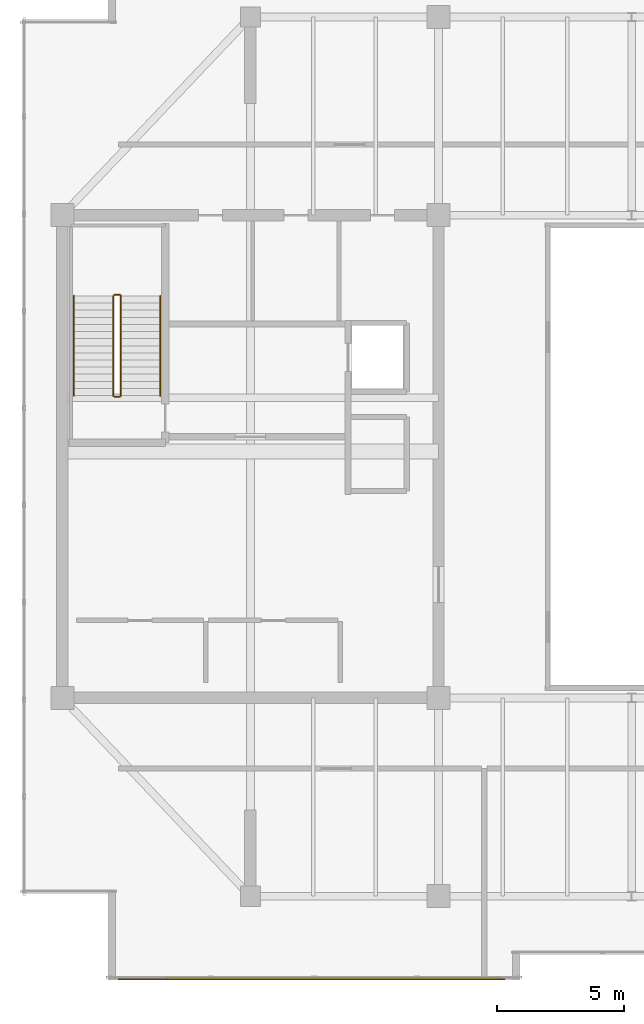
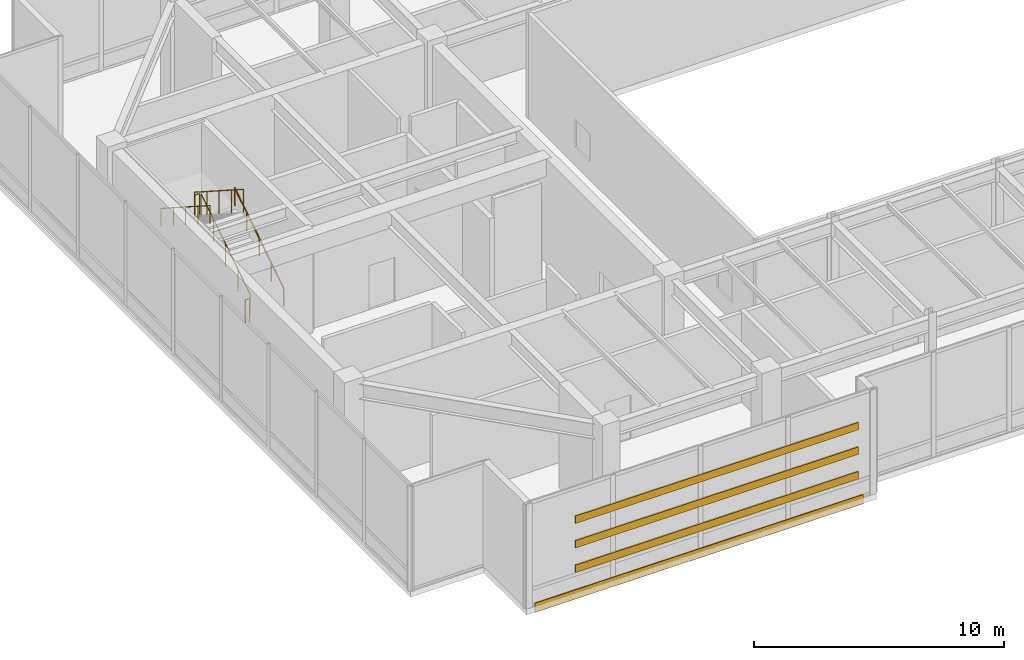
# One storey, part 28 of 30: 6 railings, 3 shading devices, 1 covering.
"""IFC4 building model written with IfcOpenShell, lengths in metres."""

from ifc_helpers import new_model, si_unit, direction, frame, frame_2d, origin, origin_2d, place, context, subcontext, project, spatial, rectangle, circle, extrude, source, transform, mapped, material, layer, layer_set, material_profile, profile_set, type_object, type_shapes, element, save


model = new_model("IFC4")

# Units and contexts
model_context = context("Model", 3, precision=1e-05, world=origin(), true_north=direction((0.0, 1.0)))
body_context = subcontext(model_context, "Body", "Model", "MODEL_VIEW")
ifc_project = project(units=[si_unit("LENGTHUNIT", "METRE"), si_unit("AREAUNIT", "SQUARE_METRE"), si_unit("VOLUMEUNIT", "CUBIC_METRE"), si_unit("PLANEANGLEUNIT", "RADIAN"), si_unit("MASSUNIT", "GRAM", prefix="KILO")], contexts=[model_context])

# Site, building, storey
site_placement = place(None, origin())
site = spatial("IfcSite", under=ifc_project, at=site_placement, CompositionType="ELEMENT")
building_placement = place(site_placement, origin())
building = spatial("IfcBuilding", under=site, at=building_placement, Name="Haelvirn Gate Laboratories", CompositionType="ELEMENT")
storey_placement = place(building_placement, frame((0.0, 0.0, 332.39990234375)))
storey = spatial("IfcBuildingStorey", under=building, at=storey_placement, Name="L79", CompositionType="ELEMENT", Elevation=332.39990234375)

# Covering
ifc_material_1 = material(Name="Anodised bronze honeycomb aluminium spandrel cladding", Category="aluminium")
ifc_layer = layer(ifc_material_1, 0.044921875, Name="COV-CLAD-BRZ")
ifc_layer_set = layer_set([ifc_layer], Name="Anodised bronze honeycomb aluminium spandrel cladding")
covering_type = type_object("IfcCoveringType", Name="COV-CLAD-BRZ", PredefinedType="CLADDING", material=ifc_layer_set)
covering_placement = place(storey_placement, frame((9.60009765625, 3.72998046875, -0.2998046875), z_axis=(0.0, 0.0, 1.0), x_axis=(1.0, 0.0, 0.0)))
element("IfcCovering", 1, at=covering_placement, inside=storey, type_object=covering_type, Name="L79 Bronze Slab-Edge Spandrel Cladding SW", PredefinedType="CLADDING", context=body_context, shape_type="SweptSolid", body=[
    extrude(rectangle(XDim=15.199951171875, YDim=0.044921875, at=frame_2d((7.60009765625, 0.0))), origin(), (0.0, 0.0, 1.0), 0.449951171875),
])

# Shading devices
ifc_material_2 = material(Name="Extruded aluminium 6063-T6 (anodised bronze)", Category="aluminium")
ifc_material_profile = material_profile(ifc_material_2, rectangle(XDim=0.080078125, YDim=0.360107421875, at=origin_2d()), Name="LOUV-360x80")
ifc_profile_set = profile_set([ifc_material_profile], Name="Extruded aluminium 6063-T6 (anodised bronze)")
shading_device_type = type_object("IfcShadingDeviceType", Name="SHD-LOUV-360", PredefinedType="USERDEFINED", material=ifc_profile_set)
shared_shape_1 = source(origin(), body_context, "Body", "SweptSolid", [
    extrude(rectangle(XDim=0.080078125, YDim=0.360107421875, at=origin_2d()), origin(), (0.0, 0.0, 1.0), 13.10009765625),
])
type_shapes(shading_device_type, [shared_shape_1])
for number, where, z_axis, x_axis, name in (
    (2, (11.5, 3.780029296875, 1.150146484375), (1.0, 0.0, 0.0), (0.0, 1.0, 0.0), "L79 South Acoustic Plant Louvre 1"),
    (3, (11.5, 3.780029296875, 2.35009765625), (1.0, 0.0, 0.0), (0.0, 1.0, 0.0), "L79 South Acoustic Plant Louvre 2"),
    (4, (11.5, 3.780029296875, 3.550048828125), (1.0, 0.0, 0.0), (0.0, 1.0, 0.0), "L79 South Acoustic Plant Louvre 3"),
):
    element("IfcShadingDevice", number, at=place(storey_placement, frame(where, z_axis=z_axis, x_axis=x_axis)), inside=storey, type_object=shading_device_type, Name=name, ObjectType="LOUVRE", PredefinedType="USERDEFINED", context=body_context, shape_type="MappedRepresentation", body=[
        mapped(shared_shape_1, transform((0.0, 0.0, 0.0), scale=1.0)),
    ])

# Railings
ifc_material_3 = material(Name="Galvanised steel SM355 & stainless top rail", Category="steel")
railing_type_1 = type_object("IfcRailingType", Name="RL-GUARD-1150", PredefinedType="GUARDRAIL", material=ifc_material_3)
shared_shape_2 = source(origin(), body_context, "Body", "SweptSolid", [
    extrude(circle(Radius=0.02392578125, at=origin_2d()), frame((0.0, 0.0, 1.1259765625), z_axis=(-1.0, 0.0, 0.0), x_axis=(0.0, -1.0, 0.0)), (0.0, 0.0, 1.0), 0.199951171875),
    extrude(circle(Radius=0.02099609375, at=origin_2d()), origin(), (0.0, 0.0, 1.0), 1.101806640625),
    extrude(circle(Radius=0.02099609375, at=origin_2d()), frame((-0.199951171875, 0.0, 0.0)), (0.0, 0.0, 1.0), 1.101806640625),
])
for number, where, name in (
    (5, (9.64990234375, 30.669921875, 2.7001953125), "L79 ST1 stair guard 2"),
    (6, (9.64990234375, 26.64990234375, 0.0), "L79 ST1 stair guard 4"),
):
    element("IfcRailing", number, at=place(storey_placement, frame(where)), inside=storey, type_object=railing_type_1, Name=name, PredefinedType="GUARDRAIL", context=body_context, shape_type="MappedRepresentation", body=[
        mapped(shared_shape_2, transform((0.0, 0.0, 0.0), scale=1.0)),
    ])
shared_shape_3 = source(origin(), body_context, "Body", "SweptSolid", [
    extrude(circle(Radius=0.02392578125, at=origin_2d()), frame((0.0, 0.0, 1.1259765625), z_axis=(0.0, 0.841186985886, 0.540744352514), x_axis=(-1.0, 0.0, 0.0)), (0.0, 0.0, 1.0), 4.660400390625),
    extrude(circle(Radius=0.02099609375, at=origin_2d()), origin(), (0.0, 0.0, 1.0), 1.101806640625),
    extrude(circle(Radius=0.02099609375, at=origin_2d()), frame((0.0, 0.97998046875, 0.6298828125)), (0.0, 0.0, 1.0), 1.101806640625),
    extrude(circle(Radius=0.02099609375, at=origin_2d()), frame((0.0, 1.9599609375, 1.260009765625)), (0.0, 0.0, 1.0), 1.101806640625),
    extrude(circle(Radius=0.02099609375, at=origin_2d()), frame((0.0, 2.940185546875, 1.89013671875)), (0.0, 0.0, 1.0), 1.101806640625),
    extrude(circle(Radius=0.02099609375, at=origin_2d()), frame((0.0, 3.920166015625, 2.52001953125)), (0.0, 0.0, 1.0), 1.101806640625),
])
railing_1_placement = place(storey_placement, frame((9.699951171875, 26.699951171875, 0.18017578125)))
element("IfcRailing", 7, at=railing_1_placement, inside=storey, type_object=railing_type_1, Name="L79 ST1 stair guard 1", PredefinedType="GUARDRAIL", context=body_context, shape_type="MappedRepresentation", body=[
    mapped(shared_shape_3, transform((0.0, 0.0, 0.0), scale=1.0)),
])
shared_shape_4 = source(origin(), body_context, "Body", "SweptSolid", [
    extrude(circle(Radius=0.02392578125, at=origin_2d()), frame((0.0, 0.0, 1.1259765625), z_axis=(0.0, -0.841186985886, 0.540744352514), x_axis=(1.0, 0.0, 0.0)), (0.0, 0.0, 1.0), 4.660400390625),
    extrude(circle(Radius=0.02099609375, at=origin_2d()), origin(), (0.0, 0.0, 1.0), 1.101806640625),
    extrude(circle(Radius=0.02099609375, at=origin_2d()), frame((0.0, -0.97998046875, 0.6298828125)), (0.0, 0.0, 1.0), 1.101806640625),
    extrude(circle(Radius=0.02099609375, at=origin_2d()), frame((0.0, -1.9599609375, 1.260009765625)), (0.0, 0.0, 1.0), 1.101806640625),
    extrude(circle(Radius=0.02099609375, at=origin_2d()), frame((0.0, -2.940185546875, 1.89013671875)), (0.0, 0.0, 1.0), 1.101806640625),
    extrude(circle(Radius=0.02099609375, at=origin_2d()), frame((0.0, -3.920166015625, 2.52001953125)), (0.0, 0.0, 1.0), 1.101806640625),
])
type_shapes(railing_type_1, [shared_shape_2, shared_shape_3, shared_shape_4])
railing_2_placement = place(storey_placement, frame((9.39990234375, 30.6201171875, 2.880126953125)))
element("IfcRailing", 8, at=railing_2_placement, inside=storey, type_object=railing_type_1, Name="L79 ST1 stair guard 3", PredefinedType="GUARDRAIL", context=body_context, shape_type="MappedRepresentation", body=[
    mapped(shared_shape_4, transform((0.0, 0.0, 0.0), scale=1.0)),
])
ifc_material_4 = material(Name="Brushed stainless steel 316L", Category="steel")
railing_type_2 = type_object("IfcRailingType", Name="RL-HAND-920", PredefinedType="HANDRAIL", material=ifc_material_4)
shared_shape_5 = source(origin(), body_context, "Body", "SweptSolid", [
    extrude(circle(Radius=0.02392578125, at=origin_2d()), frame((0.0, 0.0, 0.8759765625), z_axis=(0.0, 0.841186985886, 0.540744352514), x_axis=(-1.0, 0.0, 0.0)), (0.0, 0.0, 1.0), 4.660400390625),
    extrude(circle(Radius=0.02099609375, at=origin_2d()), origin(), (0.0, 0.0, 1.0), 0.851806640625),
    extrude(circle(Radius=0.02099609375, at=origin_2d()), frame((0.0, 0.97998046875, 0.6298828125)), (0.0, 0.0, 1.0), 0.851806640625),
    extrude(circle(Radius=0.02099609375, at=origin_2d()), frame((0.0, 1.9599609375, 1.260009765625)), (0.0, 0.0, 1.0), 0.851806640625),
    extrude(circle(Radius=0.02099609375, at=origin_2d()), frame((0.0, 2.940185546875, 1.89013671875)), (0.0, 0.0, 1.0), 0.851806640625),
    extrude(circle(Radius=0.02099609375, at=origin_2d()), frame((0.0, 3.920166015625, 2.52001953125)), (0.0, 0.0, 1.0), 0.851806640625),
])
railing_3_placement = place(storey_placement, frame((11.25, 26.699951171875, 0.18017578125)))
element("IfcRailing", 9, at=railing_3_placement, inside=storey, type_object=railing_type_2, Name="L79 ST1 stair handrail 1", PredefinedType="HANDRAIL", context=body_context, shape_type="MappedRepresentation", body=[
    mapped(shared_shape_5, transform((0.0, 0.0, 0.0), scale=1.0)),
])
shared_shape_6 = source(origin(), body_context, "Body", "SweptSolid", [
    extrude(circle(Radius=0.02392578125, at=origin_2d()), frame((0.0, 0.0, 0.8759765625), z_axis=(0.0, -0.841186985886, 0.540744352514), x_axis=(1.0, 0.0, 0.0)), (0.0, 0.0, 1.0), 4.660400390625),
    extrude(circle(Radius=0.02099609375, at=origin_2d()), origin(), (0.0, 0.0, 1.0), 0.851806640625),
    extrude(circle(Radius=0.02099609375, at=origin_2d()), frame((0.0, -0.97998046875, 0.6298828125)), (0.0, 0.0, 1.0), 0.851806640625),
    extrude(circle(Radius=0.02099609375, at=origin_2d()), frame((0.0, -1.9599609375, 1.260009765625)), (0.0, 0.0, 1.0), 0.851806640625),
    extrude(circle(Radius=0.02099609375, at=origin_2d()), frame((0.0, -2.940185546875, 1.89013671875)), (0.0, 0.0, 1.0), 0.851806640625),
    extrude(circle(Radius=0.02099609375, at=origin_2d()), frame((0.0, -3.920166015625, 2.52001953125)), (0.0, 0.0, 1.0), 0.851806640625),
])
type_shapes(railing_type_2, [shared_shape_5, shared_shape_6])
railing_4_placement = place(storey_placement, frame((7.85009765625, 30.6201171875, 2.880126953125)))
element("IfcRailing", 10, at=railing_4_placement, inside=storey, type_object=railing_type_2, Name="L79 ST1 stair handrail 2", PredefinedType="HANDRAIL", context=body_context, shape_type="MappedRepresentation", body=[
    mapped(shared_shape_6, transform((0.0, 0.0, 0.0), scale=1.0)),
])

save(model, "model.ifc")
